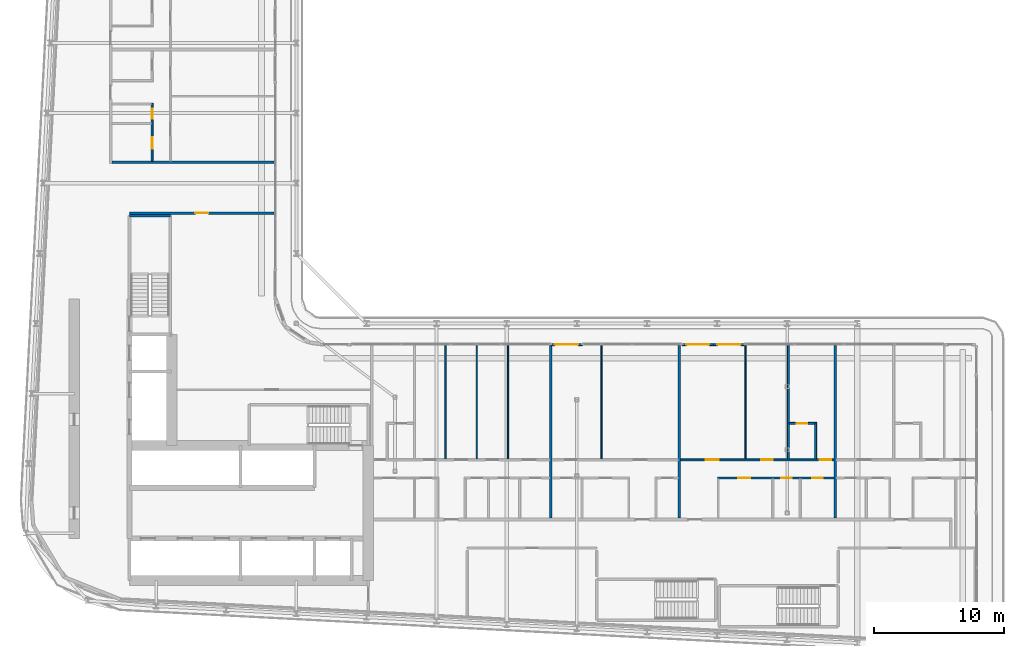
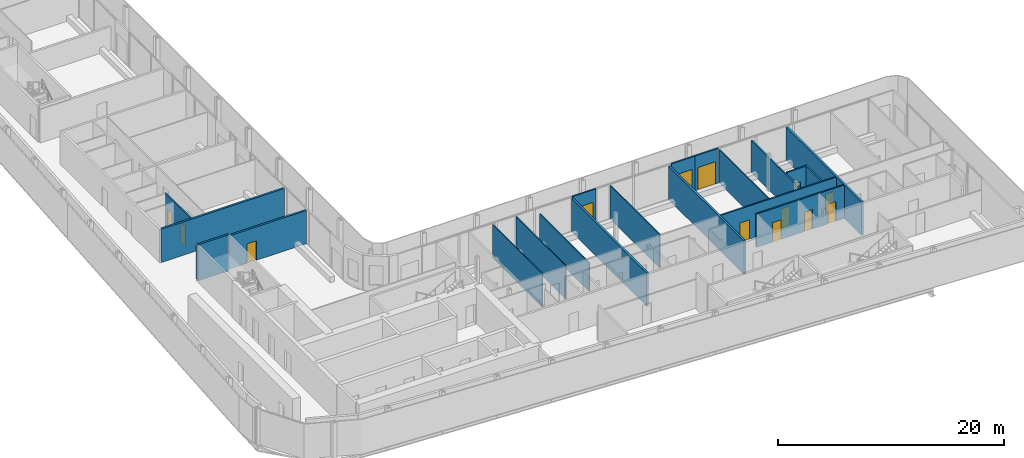
# One storey, part 19 of 30: 20 walls, 13 doors, 13 openings.
"""IFC4 building model written with IfcOpenShell, lengths in metres."""

from ifc_helpers import new_model, si_unit, direction, frame, frame_2d, origin, place, context, subcontext, project, spatial, rectangle, extrude, source, transform, mapped, material, layer, layer_set, type_object, element, fill, save


model = new_model("IFC4")

# Units and contexts
model_context = context("Model", 3, precision=1e-05, world=origin(), true_north=direction((0.0, 1.0)))
body_context = subcontext(model_context, "Body", "Model", "MODEL_VIEW")
ifc_project = project(units=[si_unit("LENGTHUNIT", "METRE"), si_unit("AREAUNIT", "SQUARE_METRE"), si_unit("VOLUMEUNIT", "CUBIC_METRE"), si_unit("PLANEANGLEUNIT", "RADIAN"), si_unit("MASSUNIT", "GRAM", prefix="KILO")], contexts=[model_context])

# Site, building, storey
site_placement = place(None, origin())
site = spatial("IfcSite", under=ifc_project, at=site_placement, CompositionType="ELEMENT")
building_placement = place(site_placement, origin())
building = spatial("IfcBuilding", under=site, at=building_placement, Name="Kheshtan School and Residences Tower", CompositionType="ELEMENT")
storey_placement = place(building_placement, frame((0.0, 0.0, 195.5)))
storey = spatial("IfcBuildingStorey", under=building, at=storey_placement, Name="L46", CompositionType="ELEMENT", Elevation=195.5)

# Wall
ifc_material_1 = material(Name="Gypsum board on steel studs with fire boards", Category="steel")
ifc_layer_1 = layer(ifc_material_1, 0.199951171875)
ifc_layer_set_1 = layer_set([ifc_layer_1], Name="Corridor wall 200")
wall_type_1 = type_object("IfcWallType", Name="Corridor wall 200", PredefinedType="PARTITIONING", material=ifc_layer_set_1)
wall_1_placement = place(storey_placement, frame((33.39990234375, 58.0, 0.0), z_axis=(0.0, 0.0, 1.0), x_axis=(1.0, 0.0, 0.0)))
element("IfcWall", 1, at=wall_1_placement, inside=storey, type_object=wall_type_1, Name="Partition L46-006", PredefinedType="PARTITIONING", context=body_context, shape_type="SweptSolid", body=[
    extrude(rectangle(XDim=12.5, YDim=0.199951171875, at=frame_2d((6.25, 0.0))), origin(), (0.0, 0.0, 1.0), 3.60009765625),
])

# Wall, opening, door
wall_2_placement = place(storey_placement, frame((34.75, 54.10009765625, 0.0), z_axis=(0.0, 0.0, 1.0), x_axis=(1.0, 0.0, 0.0)))
wall_2 = element("IfcWall", 2, at=wall_2_placement, inside=storey, type_object=wall_type_1, Name="Partition L46-017", PredefinedType="PARTITIONING", context=body_context, shape_type="SweptSolid", body=[
    extrude(rectangle(XDim=11.14990234375, YDim=0.199951171875, at=frame_2d((5.574951171875, 0.0))), origin(), (0.0, 0.0, 1.0), 3.60009765625),
])
opening_1_placement = place(wall_2_placement, frame((5.074951171875, 0.0, 0.0)))
opening_1 = element("IfcOpeningElement", 3, at=opening_1_placement, cuts=wall_2, Name="Opening D46-056", PredefinedType="OPENING", context=body_context, shape_type="SweptSolid", body=[
    extrude(rectangle(XDim=1.0, YDim=2.10009765625, at=frame_2d((0.5, 1.050048828125))), frame((0.0, 0.10986328125, 0.0), z_axis=(0.0, -1.0, 0.0), x_axis=(1.0, 0.0, 0.0)), (0.0, 0.0, 1.0), 0.219970703125),
])
ifc_material_2 = material(Name="Steel-framed fire-resisting door leaf", Category="steel")
door_type_1 = type_object("IfcDoorType", Name="Fire door FD60 1000 x 2100", OperationType="SINGLE_SWING_LEFT", PredefinedType="DOOR", material=ifc_material_2)
shared_shape_1 = source(origin(), body_context, "Body", "SweptSolid", [
    extrude(rectangle(XDim=1.0, YDim=2.10009765625, at=frame_2d((0.5, 1.050048828125))), frame((0.0, 0.02490234375, 0.0), z_axis=(0.0, -1.0, 0.0), x_axis=(1.0, 0.0, 0.0)), (0.0, 0.0, 1.0), 0.050048828125),
])
door_1_placement = place(opening_1_placement, origin())
door_1 = element("IfcDoor", 4, at=door_1_placement, inside=storey, type_object=door_type_1, Name="Door D46-056", OperationType="SINGLE_SWING_RIGHT", OverallHeight=2.10009765625, OverallWidth=1.0, PredefinedType="DOOR", context=body_context, shape_type="MappedRepresentation", body=[
    mapped(shared_shape_1, transform((0.0, 0.0, 0.0), x_axis=(1.0, 0.0, 0.0), y_axis=(0.0, 1.0, 0.0), z_axis=(0.0, 0.0, 1.0), scale=1.0)),
])
fill(opening_1, door_1)

ifc_material_3 = material(Name="Aluminium frame wall with insulated infill", Category="aluminium")
ifc_layer_2 = layer(ifc_material_3, 0.14990234375)
ifc_layer_set_2 = layer_set([ifc_layer_2], Name="Glazing frame wall 150")
wall_type_2 = type_object("IfcWallType", Name="Glazing frame wall 150", PredefinedType="SOLIDWALL", material=ifc_layer_set_2)
wall_3_placement = place(storey_placement, frame((67.218017578125, 43.97509765625, 0.0), z_axis=(0.0, 0.0, 1.0), x_axis=(1.0, 0.0, 0.0)))
wall_3 = element("IfcWall", 5, at=wall_3_placement, inside=storey, type_object=wall_type_2, Name="Balcony door wall L46 12.2", PredefinedType="SOLIDWALL", context=body_context, shape_type="SweptSolid", body=[
    extrude(rectangle(XDim=2.39990234375, YDim=0.14990234375, at=frame_2d((1.199951171875, 0.0))), origin(), (0.0, 0.0, 1.0), 3.75),
])
opening_2_placement = place(wall_3_placement, frame((0.300048828125, 0.0, 0.0)))
opening_2 = element("IfcOpeningElement", 6, at=opening_2_placement, cuts=wall_3, Name="Opening BD", PredefinedType="OPENING", context=body_context, shape_type="SweptSolid", body=[
    extrude(rectangle(XDim=1.800048828125, YDim=2.39990234375, at=frame_2d((0.89990234375, 1.199951171875))), frame((0.0, 0.0849609375, 0.0), z_axis=(0.0, -1.0, 0.0), x_axis=(1.0, 0.0, 0.0)), (0.0, 0.0, 1.0), 0.169921875),
])
ifc_material_4 = material(Name="Clear low-e glass in thermally broken aluminium frame", Category="aluminium")
door_type_2 = type_object("IfcDoorType", Name="Balcony sliding door", OperationType="SLIDING_TO_LEFT", PredefinedType="DOOR", material=ifc_material_4)
shared_shape_2 = source(origin(), body_context, "Body", "SweptSolid", [
    extrude(rectangle(XDim=1.800048828125, YDim=2.39990234375, at=frame_2d((0.89990234375, 1.199951171875))), frame((0.0, 0.02490234375, 0.0), z_axis=(0.0, -1.0, 0.0), x_axis=(1.0, 0.0, 0.0)), (0.0, 0.0, 1.0), 0.050048828125),
])
door_2_placement = place(opening_2_placement, origin())
door_2 = element("IfcDoor", 7, at=door_2_placement, inside=storey, type_object=door_type_2, Name="Balcony door L46 12.2", OperationType="SLIDING_TO_LEFT", OverallHeight=2.39990234375, OverallWidth=1.800048828125, PredefinedType="DOOR", context=body_context, shape_type="MappedRepresentation", body=[
    mapped(shared_shape_2, transform((0.0, 0.0, 0.0), x_axis=(1.0, 0.0, 0.0), y_axis=(0.0, 1.0, 0.0), z_axis=(0.0, 0.0, 1.0), scale=1.0)),
])
fill(opening_2, door_2)

wall_4_placement = place(storey_placement, frame((77.31201171875, 43.97509765625, 0.0), z_axis=(0.0, 0.0, 1.0), x_axis=(1.0, 0.0, 0.0)))
wall_4 = element("IfcWall", 8, at=wall_4_placement, inside=storey, type_object=wall_type_2, Name="Balcony door wall L46 12.3", PredefinedType="SOLIDWALL", context=body_context, shape_type="SweptSolid", body=[
    extrude(rectangle(XDim=2.39990234375, YDim=0.14990234375, at=frame_2d((1.199951171875, 0.0))), origin(), (0.0, 0.0, 1.0), 3.75),
])
opening_3_placement = place(wall_4_placement, frame((0.300048828125, 0.0, 0.0)))
opening_3 = element("IfcOpeningElement", 9, at=opening_3_placement, cuts=wall_4, Name="Opening BD", PredefinedType="OPENING", context=body_context, shape_type="SweptSolid", body=[
    extrude(rectangle(XDim=1.800048828125, YDim=2.39990234375, at=frame_2d((0.89990234375, 1.199951171875))), frame((0.0, 0.0849609375, 0.0), z_axis=(0.0, -1.0, 0.0), x_axis=(1.0, 0.0, 0.0)), (0.0, 0.0, 1.0), 0.169921875),
])
door_3_placement = place(opening_3_placement, origin())
door_3 = element("IfcDoor", 10, at=door_3_placement, inside=storey, type_object=door_type_2, Name="Balcony door L46 12.3", OperationType="SLIDING_TO_LEFT", OverallHeight=2.39990234375, OverallWidth=1.800048828125, PredefinedType="DOOR", context=body_context, shape_type="MappedRepresentation", body=[
    mapped(shared_shape_2, transform((0.0, 0.0, 0.0), x_axis=(1.0, 0.0, 0.0), y_axis=(0.0, 1.0, 0.0), z_axis=(0.0, 0.0, 1.0), scale=1.0)),
])
fill(opening_3, door_3)

wall_5_placement = place(storey_placement, frame((79.7119140625, 43.97509765625, 0.0), z_axis=(0.0, 0.0, 1.0), x_axis=(1.0, 0.0, 0.0)))
wall_5 = element("IfcWall", 11, at=wall_5_placement, inside=storey, type_object=wall_type_2, Name="Balcony door wall L46 12.4", PredefinedType="SOLIDWALL", context=body_context, shape_type="SweptSolid", body=[
    extrude(rectangle(XDim=2.400146484375, YDim=0.14990234375, at=frame_2d((1.2001953125, 0.0))), origin(), (0.0, 0.0, 1.0), 3.75),
])
opening_4_placement = place(wall_5_placement, frame((0.300048828125, 0.0, 0.0)))
opening_4 = element("IfcOpeningElement", 12, at=opening_4_placement, cuts=wall_5, Name="Opening BD", PredefinedType="OPENING", context=body_context, shape_type="SweptSolid", body=[
    extrude(rectangle(XDim=1.800048828125, YDim=2.39990234375, at=frame_2d((0.89990234375, 1.199951171875))), frame((0.0, 0.0849609375, 0.0), z_axis=(0.0, -1.0, 0.0), x_axis=(1.0, 0.0, 0.0)), (0.0, 0.0, 1.0), 0.169921875),
])
door_4_placement = place(opening_4_placement, origin())
door_4 = element("IfcDoor", 13, at=door_4_placement, inside=storey, type_object=door_type_2, Name="Balcony door L46 12.4", OperationType="SLIDING_TO_LEFT", OverallHeight=2.39990234375, OverallWidth=1.800048828125, PredefinedType="DOOR", context=body_context, shape_type="MappedRepresentation", body=[
    mapped(shared_shape_2, transform((0.0, 0.0, 0.0), x_axis=(1.0, 0.0, 0.0), y_axis=(0.0, 1.0, 0.0), z_axis=(0.0, 0.0, 1.0), scale=1.0)),
])
fill(opening_4, door_4)

# Walls
ifc_material_5 = material(Name="Gypsum board on steel studs", Category="steel")
ifc_layer_3 = layer(ifc_material_5, 0.10009765625)
ifc_layer_set_3 = layer_set([ifc_layer_3], Name="Gypsum partition 100")
wall_type_3 = type_object("IfcWallType", Name="Gypsum partition 100", PredefinedType="PARTITIONING", material=ifc_layer_set_3)
for number, where, z_axis, x_axis, name in (
    (14, (59.10009765625, 35.175048828125, 0.0), (0.0, 0.0, 1.0), (0.0, 1.0, 0.0), "Partition L46-040"),
    (15, (61.5, 35.175048828125, 0.0), (0.0, 0.0, 1.0), (0.0, 1.0, 0.0), "Partition L46-043"),
):
    element("IfcWall", number, at=place(storey_placement, frame(where, z_axis=z_axis, x_axis=x_axis)), inside=storey, type_object=wall_type_3, Name=name, PredefinedType="PARTITIONING", context=body_context, shape_type="SweptSolid", body=[
        extrude(rectangle(XDim=8.724853515625, YDim=0.10009765625, at=frame_2d((4.3623046875, 0.0))), origin(), (0.0, 0.0, 1.0), 3.60009765625),
    ])
wall_6_placement = place(storey_placement, frame((63.89990234375, 35.175048828125, 0.0), z_axis=(0.0, 0.0, 1.0), x_axis=(0.0, 1.0, 0.0)))
element("IfcWall", 16, at=wall_6_placement, inside=storey, type_object=wall_type_3, Name="Partition L46-045", PredefinedType="PARTITIONING", context=body_context, shape_type="SweptSolid", body=[
    extrude(rectangle(XDim=8.724853515625, YDim=0.10009765625, at=frame_2d((4.3623046875, 0.0))), origin(), (0.0, 0.0, 1.0), 3.072021484375),
])
for number, where, z_axis, x_axis, name in (
    (17, (71.10009765625, 35.175048828125, 0.0), (0.0, 0.0, 1.0), (0.0, 1.0, 0.0), "Partition L46-051"),
    (18, (82.199951171875, 35.175048828125, 0.0), (0.0, 0.0, 1.0), (0.0, 1.0, 0.0), "Partition L46-059"),
):
    element("IfcWall", number, at=place(storey_placement, frame(where, z_axis=z_axis, x_axis=x_axis)), inside=storey, type_object=wall_type_3, Name=name, PredefinedType="PARTITIONING", context=body_context, shape_type="SweptSolid", body=[
        extrude(rectangle(XDim=8.724853515625, YDim=0.10009765625, at=frame_2d((4.3623046875, 0.0))), origin(), (0.0, 0.0, 1.0), 3.60009765625),
    ])
ifc_material_6 = material(Name="Concrete C40/50", Category="concrete")
ifc_layer_4 = layer(ifc_material_6, 0.199951171875)
ifc_layer_set_4 = layer_set([ifc_layer_4], Name="Stair enclosure wall 200 Concrete C40/50")
wall_type_4 = type_object("IfcWallType", Name="Stair enclosure wall 200 Concrete C40/50", PredefinedType="SHEAR", material=ifc_layer_set_4)
wall_7_placement = place(storey_placement, frame((34.75, 53.909912109375, 0.0), z_axis=(0.0, 0.0, 1.0), x_axis=(1.0, 0.0, 0.0)))
element("IfcWall", 19, at=wall_7_placement, inside=storey, type_object=wall_type_4, Name="Stair enclosure wall ST2", PredefinedType="SHEAR", context=body_context, shape_type="SweptSolid", body=[
    extrude(rectangle(XDim=3.14990234375, YDim=0.199951171875, at=frame_2d((1.574951171875, 0.0))), origin(), (0.0, 0.0, 1.0), 3.89990234375),
])
ifc_material_7 = material(Name="Twin gypsum board on steel studs with mineral wool", Category="steel")
ifc_layer_5 = layer(ifc_material_7, 0.199951171875)
ifc_layer_set_5 = layer_set([ifc_layer_5], Name="Unit demising wall 200")
wall_type_5 = type_object("IfcWallType", Name="Unit demising wall 200", PredefinedType="PARTITIONING", material=ifc_layer_set_5)
for number, where, z_axis, x_axis, name in (
    (20, (67.199951171875, 30.60009765625, 0.0), (0.0, 0.0, 1.0), (0.0, 1.0, 0.0), "Partition L46-047"),
    (21, (77.10009765625, 30.60009765625, 0.0), (0.0, 0.0, 1.0), (0.0, 1.0, 0.0), "Partition L46-055"),
    (22, (89.10009765625, 30.60009765625, 0.0), (0.0, 0.0, 1.0), (0.0, 1.0, 0.0), "Partition L46-065"),
):
    element("IfcWall", number, at=place(storey_placement, frame(where, z_axis=z_axis, x_axis=x_axis)), inside=storey, type_object=wall_type_5, Name=name, PredefinedType="PARTITIONING", context=body_context, shape_type="SweptSolid", body=[
        extrude(rectangle(XDim=13.2998046875, YDim=0.199951171875, at=frame_2d((6.64990234375, 0.0))), origin(), (0.0, 0.0, 1.0), 3.60009765625),
    ])

# Wall, openings, doors
ifc_material_8 = material(Name="Moisture-resistant gypsum board on steel studs", Category="steel")
ifc_layer_6 = layer(ifc_material_8, 0.14990234375)
ifc_layer_set_6 = layer_set([ifc_layer_6], Name="Wet-room partition 150")
wall_type_6 = type_object("IfcWallType", Name="Wet-room partition 150", PredefinedType="PARTITIONING", material=ifc_layer_set_6)
wall_8_placement = place(storey_placement, frame((36.5, 58.10009765625, 0.0), z_axis=(0.0, 0.0, 1.0), x_axis=(0.0, 1.0, 0.0)))
wall_8 = element("IfcWall", 23, at=wall_8_placement, inside=storey, type_object=wall_type_6, Name="Partition L46-018", PredefinedType="PARTITIONING", context=body_context, shape_type="SweptSolid", body=[
    extrude(rectangle(XDim=4.474853515625, YDim=0.14990234375, at=frame_2d((2.2373046875, 0.0))), origin(), (0.0, 0.0, 1.0), 3.60009765625),
])
opening_5_placement = place(wall_8_placement, frame((0.949951171875, 0.0, 0.0)))
opening_5 = element("IfcOpeningElement", 24, at=opening_5_placement, cuts=wall_8, Name="Opening D46-039", PredefinedType="OPENING", context=body_context, shape_type="SweptSolid", body=[
    extrude(rectangle(XDim=0.89990234375, YDim=2.10009765625, at=frame_2d((0.449951171875, 1.050048828125))), frame((0.0, 0.0849609375, 0.0), z_axis=(0.0, -1.0, 0.0), x_axis=(1.0, 0.0, 0.0)), (0.0, 0.0, 1.0), 0.169921875),
])
opening_6_placement = place(wall_8_placement, frame((3.25, 0.0, 0.0)))
opening_6 = element("IfcOpeningElement", 25, at=opening_6_placement, cuts=wall_8, Name="Opening D46-041", PredefinedType="OPENING", context=body_context, shape_type="SweptSolid", body=[
    extrude(rectangle(XDim=0.800048828125, YDim=2.10009765625, at=frame_2d((0.39990234375, 1.050048828125))), frame((0.0, 0.0849609375, 0.0), z_axis=(0.0, -1.0, 0.0), x_axis=(1.0, 0.0, 0.0)), (0.0, 0.0, 1.0), 0.169921875),
])
ifc_material_9 = material(Name="Veneered timber door leaf", Category="wood")
door_type_3 = type_object("IfcDoorType", Name="Door 800 x 2100", OperationType="SINGLE_SWING_LEFT", PredefinedType="DOOR", material=ifc_material_9)
shared_shape_3 = source(origin(), body_context, "Body", "SweptSolid", [
    extrude(rectangle(XDim=0.800048828125, YDim=2.10009765625, at=frame_2d((0.39990234375, 1.050048828125))), frame((0.0, 0.02490234375, 0.0), z_axis=(0.0, -1.0, 0.0), x_axis=(1.0, 0.0, 0.0)), (0.0, 0.0, 1.0), 0.050048828125),
])
door_5_placement = place(opening_6_placement, origin())
door_5 = element("IfcDoor", 26, at=door_5_placement, inside=storey, type_object=door_type_3, Name="Door D46-041", OperationType="SINGLE_SWING_RIGHT", OverallHeight=2.10009765625, OverallWidth=0.800048828125, PredefinedType="DOOR", context=body_context, shape_type="MappedRepresentation", body=[
    mapped(shared_shape_3, transform((0.0, 0.0, 0.0), x_axis=(1.0, 0.0, 0.0), y_axis=(0.0, 1.0, 0.0), z_axis=(0.0, 0.0, 1.0), scale=1.0)),
])
fill(opening_6, door_5)
door_type_4 = type_object("IfcDoorType", Name="Door 900 x 2100", OperationType="SINGLE_SWING_LEFT", PredefinedType="DOOR", material=ifc_material_9)
shared_shape_4 = source(origin(), body_context, "Body", "SweptSolid", [
    extrude(rectangle(XDim=0.89990234375, YDim=2.10009765625, at=frame_2d((0.449951171875, 1.050048828125))), frame((0.0, 0.02490234375, 0.0), z_axis=(0.0, -1.0, 0.0), x_axis=(1.0, 0.0, 0.0)), (0.0, 0.0, 1.0), 0.050048828125),
])
door_6_placement = place(opening_5_placement, origin())
door_6 = element("IfcDoor", 27, at=door_6_placement, inside=storey, type_object=door_type_4, Name="Door D46-039", OperationType="SINGLE_SWING_RIGHT", OverallHeight=2.10009765625, OverallWidth=0.89990234375, PredefinedType="DOOR", context=body_context, shape_type="MappedRepresentation", body=[
    mapped(shared_shape_4, transform((0.0, 0.0, 0.0), x_axis=(1.0, 0.0, 0.0), y_axis=(0.0, 1.0, 0.0), z_axis=(0.0, 0.0, 1.0), scale=1.0)),
])
fill(opening_5, door_6)

wall_9_placement = place(storey_placement, frame((77.199951171875, 35.10009765625, 0.0), z_axis=(0.0, 0.0, 1.0), x_axis=(1.0, 0.0, 0.0)))
wall_9 = element("IfcWall", 28, at=wall_9_placement, inside=storey, type_object=wall_type_6, Name="Partition L46-056", PredefinedType="PARTITIONING", context=body_context, shape_type="SweptSolid", body=[
    extrude(rectangle(XDim=11.800048828125, YDim=0.14990234375, at=frame_2d((5.89990234375, 0.0))), origin(), (0.0, 0.0, 1.0), 3.60009765625),
])
opening_7_placement = place(wall_9_placement, frame((6.199951171875, 0.0, 0.0)))
opening_7 = element("IfcOpeningElement", 29, at=opening_7_placement, cuts=wall_9, Name="Opening D46-020", PredefinedType="OPENING", context=body_context, shape_type="SweptSolid", body=[
    extrude(rectangle(XDim=0.89990234375, YDim=2.10009765625, at=frame_2d((0.449951171875, 1.050048828125))), frame((0.0, 0.0849609375, 0.0), z_axis=(0.0, -1.0, 0.0), x_axis=(1.0, 0.0, 0.0)), (0.0, 0.0, 1.0), 0.169921875),
])
opening_8_placement = place(wall_9_placement, frame((1.949951171875, 0.0, 0.0)))
opening_8 = element("IfcOpeningElement", 30, at=opening_8_placement, cuts=wall_9, Name="Opening D46-024", PredefinedType="OPENING", context=body_context, shape_type="SweptSolid", body=[
    extrude(rectangle(XDim=1.0, YDim=2.10009765625, at=frame_2d((0.5, 1.050048828125))), frame((0.0, 0.0849609375, 0.0), z_axis=(0.0, -1.0, 0.0), x_axis=(1.0, 0.0, 0.0)), (0.0, 0.0, 1.0), 0.169921875),
])
opening_9_placement = place(wall_9_placement, frame((10.699951171875, 0.0, 0.0)))
opening_9 = element("IfcOpeningElement", 31, at=opening_9_placement, cuts=wall_9, Name="Opening D46-025", PredefinedType="OPENING", context=body_context, shape_type="SweptSolid", body=[
    extrude(rectangle(XDim=0.89990234375, YDim=2.10009765625, at=frame_2d((0.449951171875, 1.050048828125))), frame((0.0, 0.0849609375, 0.0), z_axis=(0.0, -1.0, 0.0), x_axis=(1.0, 0.0, 0.0)), (0.0, 0.0, 1.0), 0.169921875),
])
door_type_5 = type_object("IfcDoorType", Name="Door 1000 x 2100", OperationType="SINGLE_SWING_LEFT", PredefinedType="DOOR", material=ifc_material_9)
shared_shape_5 = source(origin(), body_context, "Body", "SweptSolid", [
    extrude(rectangle(XDim=1.0, YDim=2.10009765625, at=frame_2d((0.5, 1.050048828125))), frame((0.0, 0.02490234375, 0.0), z_axis=(0.0, -1.0, 0.0), x_axis=(1.0, 0.0, 0.0)), (0.0, 0.0, 1.0), 0.050048828125),
])
door_7_placement = place(opening_8_placement, origin())
door_7 = element("IfcDoor", 32, at=door_7_placement, inside=storey, type_object=door_type_5, Name="Door D46-024", OperationType="SINGLE_SWING_LEFT", OverallHeight=2.10009765625, OverallWidth=1.0, PredefinedType="DOOR", context=body_context, shape_type="MappedRepresentation", body=[
    mapped(shared_shape_5, transform((0.0, 0.0, 0.0), x_axis=(1.0, 0.0, 0.0), y_axis=(0.0, 1.0, 0.0), z_axis=(0.0, 0.0, 1.0), scale=1.0)),
])
fill(opening_8, door_7)
door_8_placement = place(opening_7_placement, origin())
door_8 = element("IfcDoor", 33, at=door_8_placement, inside=storey, type_object=door_type_4, Name="Door D46-020", OperationType="SINGLE_SWING_LEFT", OverallHeight=2.10009765625, OverallWidth=0.89990234375, PredefinedType="DOOR", context=body_context, shape_type="MappedRepresentation", body=[
    mapped(shared_shape_4, transform((0.0, 0.0, 0.0), x_axis=(1.0, 0.0, 0.0), y_axis=(0.0, 1.0, 0.0), z_axis=(0.0, 0.0, 1.0), scale=1.0)),
])
fill(opening_7, door_8)
door_9_placement = place(opening_9_placement, origin())
door_9 = element("IfcDoor", 34, at=door_9_placement, inside=storey, type_object=door_type_4, Name="Door D46-025", OperationType="SINGLE_SWING_LEFT", OverallHeight=2.10009765625, OverallWidth=0.89990234375, PredefinedType="DOOR", context=body_context, shape_type="MappedRepresentation", body=[
    mapped(shared_shape_4, transform((0.0, 0.0, 0.0), x_axis=(1.0, 0.0, 0.0), y_axis=(0.0, 1.0, 0.0), z_axis=(0.0, 0.0, 1.0), scale=1.0)),
])
fill(opening_9, door_9)

wall_10_placement = place(storey_placement, frame((80.050048828125, 33.699951171875, 0.0), z_axis=(0.0, 0.0, 1.0), x_axis=(1.0, 0.0, 0.0)))
wall_10 = element("IfcWall", 35, at=wall_10_placement, inside=storey, type_object=wall_type_6, Name="Partition L46-057", PredefinedType="PARTITIONING", context=body_context, shape_type="SweptSolid", body=[
    extrude(rectangle(XDim=8.949951171875, YDim=0.14990234375, at=frame_2d((4.47509765625, 0.0))), origin(), (0.0, 0.0, 1.0), 3.60009765625),
])
opening_10_placement = place(wall_10_placement, frame((7.300048828125, 0.0, 0.0)))
opening_10 = element("IfcOpeningElement", 36, at=opening_10_placement, cuts=wall_10, Name="Opening D46-019", PredefinedType="OPENING", context=body_context, shape_type="SweptSolid", body=[
    extrude(rectangle(XDim=0.800048828125, YDim=2.10009765625, at=frame_2d((0.39990234375, 1.050048828125))), frame((0.0, 0.0849609375, 0.0), z_axis=(0.0, -1.0, 0.0), x_axis=(1.0, 0.0, 0.0)), (0.0, 0.0, 1.0), 0.169921875),
])
opening_11_placement = place(wall_10_placement, frame((1.60009765625, 0.0, 0.0)))
opening_11 = element("IfcOpeningElement", 37, at=opening_11_placement, cuts=wall_10, Name="Opening D46-023", PredefinedType="OPENING", context=body_context, shape_type="SweptSolid", body=[
    extrude(rectangle(XDim=0.89990234375, YDim=2.10009765625, at=frame_2d((0.449951171875, 1.050048828125))), frame((0.0, 0.0849609375, 0.0), z_axis=(0.0, -1.0, 0.0), x_axis=(1.0, 0.0, 0.0)), (0.0, 0.0, 1.0), 0.169921875),
])
opening_12_placement = place(wall_10_placement, frame((4.89990234375, 0.0, 0.0)))
opening_12 = element("IfcOpeningElement", 38, at=opening_12_placement, cuts=wall_10, Name="Opening D46-026", PredefinedType="OPENING", context=body_context, shape_type="SweptSolid", body=[
    extrude(rectangle(XDim=0.800048828125, YDim=2.10009765625, at=frame_2d((0.39990234375, 1.050048828125))), frame((0.0, 0.0849609375, 0.0), z_axis=(0.0, -1.0, 0.0), x_axis=(1.0, 0.0, 0.0)), (0.0, 0.0, 1.0), 0.169921875),
])
door_10_placement = place(opening_10_placement, origin())
door_10 = element("IfcDoor", 39, at=door_10_placement, inside=storey, type_object=door_type_3, Name="Door D46-019", OperationType="SINGLE_SWING_RIGHT", OverallHeight=2.10009765625, OverallWidth=0.800048828125, PredefinedType="DOOR", context=body_context, shape_type="MappedRepresentation", body=[
    mapped(shared_shape_3, transform((0.0, 0.0, 0.0), x_axis=(1.0, 0.0, 0.0), y_axis=(0.0, 1.0, 0.0), z_axis=(0.0, 0.0, 1.0), scale=1.0)),
])
fill(opening_10, door_10)
door_11_placement = place(opening_12_placement, origin())
door_11 = element("IfcDoor", 40, at=door_11_placement, inside=storey, type_object=door_type_3, Name="Door D46-026", OperationType="SINGLE_SWING_RIGHT", OverallHeight=2.10009765625, OverallWidth=0.800048828125, PredefinedType="DOOR", context=body_context, shape_type="MappedRepresentation", body=[
    mapped(shared_shape_3, transform((0.0, 0.0, 0.0), x_axis=(1.0, 0.0, 0.0), y_axis=(0.0, 1.0, 0.0), z_axis=(0.0, 0.0, 1.0), scale=1.0)),
])
fill(opening_12, door_11)
door_12_placement = place(opening_11_placement, origin())
door_12 = element("IfcDoor", 41, at=door_12_placement, inside=storey, type_object=door_type_4, Name="Door D46-023", OperationType="SINGLE_SWING_LEFT", OverallHeight=2.10009765625, OverallWidth=0.89990234375, PredefinedType="DOOR", context=body_context, shape_type="MappedRepresentation", body=[
    mapped(shared_shape_4, transform((0.0, 0.0, 0.0), x_axis=(1.0, 0.0, 0.0), y_axis=(0.0, 1.0, 0.0), z_axis=(0.0, 0.0, 1.0), scale=1.0)),
])
fill(opening_11, door_12)

# Wall
wall_11_placement = place(storey_placement, frame((85.5, 35.175048828125, 0.0), z_axis=(0.0, 0.0, 1.0), x_axis=(0.0, 1.0, 0.0)))
element("IfcWall", 42, at=wall_11_placement, inside=storey, type_object=wall_type_6, Name="Partition L46-061", PredefinedType="PARTITIONING", context=body_context, shape_type="SweptSolid", body=[
    extrude(rectangle(XDim=8.724853515625, YDim=0.14990234375, at=frame_2d((4.3623046875, 0.0))), origin(), (0.0, 0.0, 1.0), 3.447021484375),
])

# Wall, opening, door
wall_12_placement = place(storey_placement, frame((85.574951171875, 37.89990234375, 0.0), z_axis=(0.0, 0.0, 1.0), x_axis=(1.0, 0.0, 0.0)))
wall_12 = element("IfcWall", 43, at=wall_12_placement, inside=storey, type_object=wall_type_6, Name="Partition L46-062", PredefinedType="PARTITIONING", context=body_context, shape_type="SweptSolid", body=[
    extrude(rectangle(XDim=1.949951171875, YDim=0.14990234375, at=frame_2d((0.97509765625, 0.0))), origin(), (0.0, 0.0, 1.0), 3.60009765625),
])
opening_13_placement = place(wall_12_placement, frame((0.574951171875, 0.0, 0.0)))
opening_13 = element("IfcOpeningElement", 44, at=opening_13_placement, cuts=wall_12, Name="Opening D46-021", PredefinedType="OPENING", context=body_context, shape_type="SweptSolid", body=[
    extrude(rectangle(XDim=0.800048828125, YDim=2.10009765625, at=frame_2d((0.39990234375, 1.050048828125))), frame((0.0, 0.0849609375, 0.0), z_axis=(0.0, -1.0, 0.0), x_axis=(1.0, 0.0, 0.0)), (0.0, 0.0, 1.0), 0.169921875),
])
door_13_placement = place(opening_13_placement, origin())
door_13 = element("IfcDoor", 45, at=door_13_placement, inside=storey, type_object=door_type_3, Name="Door D46-021", OperationType="SINGLE_SWING_LEFT", OverallHeight=2.10009765625, OverallWidth=0.800048828125, PredefinedType="DOOR", context=body_context, shape_type="MappedRepresentation", body=[
    mapped(shared_shape_3, transform((0.0, 0.0, 0.0), x_axis=(1.0, 0.0, 0.0), y_axis=(0.0, 1.0, 0.0), z_axis=(0.0, 0.0, 1.0), scale=1.0)),
])
fill(opening_13, door_13)

# Wall
wall_13_placement = place(storey_placement, frame((87.60009765625, 35.175048828125, 0.0), z_axis=(0.0, 0.0, 1.0), x_axis=(0.0, 1.0, 0.0)))
element("IfcWall", 46, at=wall_13_placement, inside=storey, type_object=wall_type_6, Name="Partition L46-064", PredefinedType="PARTITIONING", context=body_context, shape_type="SweptSolid", body=[
    extrude(rectangle(XDim=2.800048828125, YDim=0.14990234375, at=frame_2d((1.39990234375, 0.0))), origin(), (0.0, 0.0, 1.0), 3.60009765625),
])

save(model, "model.ifc")
